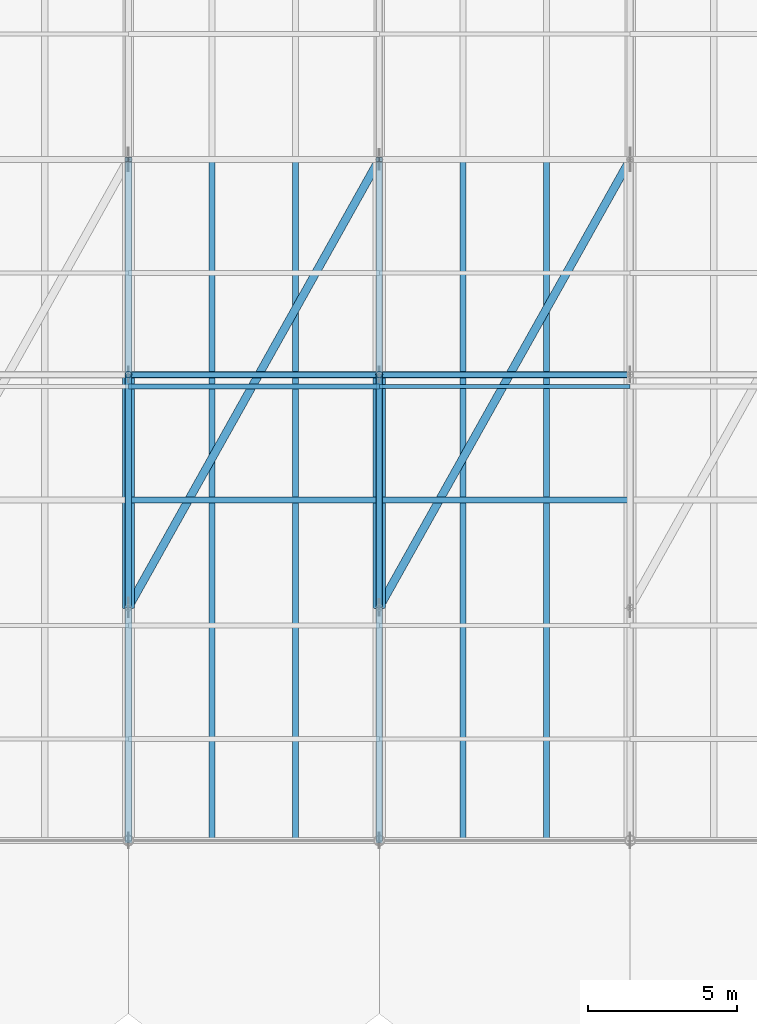
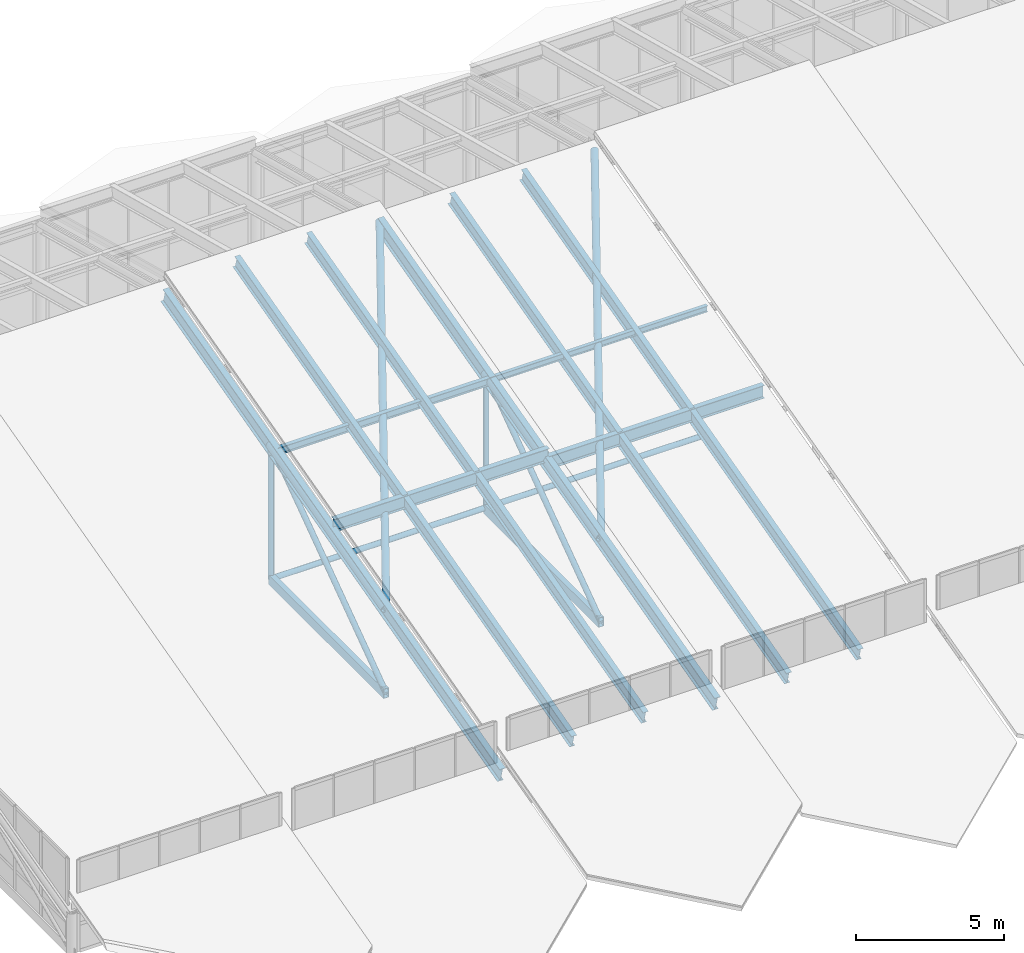
# One storey, part 11 of 43: 14 members, 8 beams.
"""IFC4 building model written with IfcOpenShell, lengths in metres."""

from ifc_helpers import new_model, si_unit, direction, frame, origin, origin_2d, place, context, subcontext, project, spatial, hollow_rectangle, hollow_circle, i_section, extrude, material, material_profile, profile_set, type_object, element, save


model = new_model("IFC4")

# Units and contexts
model_context = context("Model", 3, precision=1e-05, world=origin(), true_north=direction((0.0, 1.0)))
body_context = subcontext(model_context, "Body", "Model", "MODEL_VIEW")
ifc_project = project(units=[si_unit("LENGTHUNIT", "METRE"), si_unit("AREAUNIT", "SQUARE_METRE"), si_unit("VOLUMEUNIT", "CUBIC_METRE"), si_unit("PLANEANGLEUNIT", "RADIAN"), si_unit("MASSUNIT", "GRAM", prefix="KILO")], contexts=[model_context])

# Site, building, storey
site_placement = place(None, origin())
site = spatial("IfcSite", under=ifc_project, at=site_placement, CompositionType="ELEMENT")
building_placement = place(site_placement, origin())
building = spatial("IfcBuilding", under=site, at=building_placement, Name="Selat Folded Stagehouse", CompositionType="ELEMENT")
storey_placement = place(building_placement, frame((0.0, 0.0, 32.39990234375)))
storey = spatial("IfcBuildingStorey", under=building, at=storey_placement, Name="RF", CompositionType="ELEMENT", Elevation=32.39990234375)

# Beams
ifc_material = material(Name="Steel S355", Category="steel")
ifc_material_profile_1 = material_profile(ifc_material, i_section(OverallWidth=0.209228515625, OverallDepth=0.533203125, WebThickness=0.010009765625, FlangeThickness=0.015625, FilletRadius=0.0126953125, at=origin_2d()), Name="UKB 533x210x92")
ifc_profile_set_1 = profile_set([ifc_material_profile_1], Name="Steel S355")
beam_type_1 = type_object("IfcBeamType", Name="BM-GIRD-533x210x92", PredefinedType="BEAM", material=ifc_profile_set_1)
beam_1_placement = place(storey_placement, frame((25.199951171875, 34.800048828125, 4.93212890625), z_axis=(1.0, 0.0, 0.0), x_axis=(0.0, 1.0, 0.0)))
element("IfcBeam", 1, at=beam_1_placement, inside=storey, type_object=beam_type_1, Name="RF bay 3 M roof bearer beam", PredefinedType="BEAM", context=body_context, shape_type="SweptSolid", body=[
    extrude(i_section(OverallWidth=0.209228515625, OverallDepth=0.533203125, WebThickness=0.010009765625, FlangeThickness=0.015625, FilletRadius=0.0126953125, at=origin_2d()), origin(), (0.0, 0.0, 1.0), 8.400146484375),
])
for number, where, z_axis, x_axis, name in (
    (2, (28.0, 23.39990234375, 1.9208984375), (0.0, 0.966839847915, 0.255383453816), (-1.0, 0.0, 0.0), "RF bay 3 W south sub-rafter"),
    (3, (30.800048828125, 23.39990234375, 1.9208984375), (0.0, 0.966839847915, 0.255383453816), (-1.0, 0.0, 0.0), "RF bay 3 E south sub-rafter"),
):
    element("IfcBeam", number, at=place(storey_placement, frame(where, z_axis=z_axis, x_axis=x_axis)), inside=storey, type_object=beam_type_1, Name=name, PredefinedType="BEAM", context=body_context, shape_type="SweptSolid", body=[
        extrude(i_section(OverallWidth=0.209228515625, OverallDepth=0.533203125, WebThickness=0.010009765625, FlangeThickness=0.015625, FilletRadius=0.0126953125, at=origin_2d()), origin(), (0.0, 0.0, 1.0), 23.58203125),
    ])
beam_2_placement = place(storey_placement, frame((33.60009765625, 34.800048828125, 4.59765625), z_axis=(1.0, 0.0, 0.0), x_axis=(0.0, 1.0, 0.0)))
element("IfcBeam", 4, at=beam_2_placement, inside=storey, type_object=beam_type_1, Name="RF bay 4 M roof bearer beam", PredefinedType="BEAM", context=body_context, shape_type="SweptSolid", body=[
    extrude(i_section(OverallWidth=0.209228515625, OverallDepth=0.533203125, WebThickness=0.010009765625, FlangeThickness=0.015625, FilletRadius=0.0126953125, at=origin_2d()), origin(), (0.0, 0.0, 1.0), 8.39990234375),
])
for number, where, z_axis, x_axis, name in (
    (5, (36.39990234375, 23.39990234375, 1.586181640625), (0.0, 0.966837291607, 0.255393131382), (-1.0, 0.0, 0.0), "RF bay 4 W south sub-rafter"),
    (6, (39.199951171875, 23.39990234375, 1.586181640625), (0.0, 0.966837291607, 0.255393131382), (-1.0, 0.0, 0.0), "RF bay 4 E south sub-rafter"),
):
    element("IfcBeam", number, at=place(storey_placement, frame(where, z_axis=z_axis, x_axis=x_axis)), inside=storey, type_object=beam_type_1, Name=name, PredefinedType="BEAM", context=body_context, shape_type="SweptSolid", body=[
        extrude(i_section(OverallWidth=0.209228515625, OverallDepth=0.533203125, WebThickness=0.010009765625, FlangeThickness=0.015625, FilletRadius=0.0126953125, at=origin_2d()), origin(), (0.0, 0.0, 1.0), 23.58203125),
    ])
ifc_material_profile_2 = material_profile(ifc_material, i_section(OverallWidth=0.230224609375, OverallDepth=0.6171875, WebThickness=0.01318359375, FlangeThickness=0.022216796875, FilletRadius=0.0126953125, at=origin_2d()), Name="UKB 610x229x140")
ifc_profile_set_2 = profile_set([ifc_material_profile_2], Name="Steel S355")
beam_type_2 = type_object("IfcBeamType", Name="BM-GIRD-610x229x140", PredefinedType="BEAM", material=ifc_profile_set_2)
for number, where, z_axis, x_axis, name in (
    (7, (25.199951171875, 23.39990234375, 1.506591796875), (0.0, 0.966837291607, 0.255393131382), (-1.0, 0.0, 0.0), "RF primary south rafter beam 3"),
    (8, (33.60009765625, 23.39990234375, 1.506591796875), (0.0, 0.966837291607, 0.255393131382), (-1.0, 0.0, 0.0), "RF primary south rafter beam 4"),
):
    element("IfcBeam", number, at=place(storey_placement, frame(where, z_axis=z_axis, x_axis=x_axis)), inside=storey, type_object=beam_type_2, Name=name, PredefinedType="BEAM", context=body_context, shape_type="SweptSolid", body=[
        extrude(i_section(OverallWidth=0.230224609375, OverallDepth=0.6171875, WebThickness=0.01318359375, FlangeThickness=0.022216796875, FilletRadius=0.0126953125, at=origin_2d()), origin(), (0.0, 0.0, 1.0), 23.58203125),
    ])

# Members
ifc_material_profile_3 = material_profile(ifc_material, hollow_circle(Radius=0.109619140625, WallThickness=0.010009765625, at=origin_2d()), Name="CHS 219.1x10.0")
ifc_profile_set_3 = profile_set([ifc_material_profile_3], Name="Steel S355")
member_type_1 = type_object("IfcMemberType", Name="MEM-BRACE-CHS219", PredefinedType="BRACE", material=ifc_profile_set_3)
for number, where, z_axis, x_axis, name in (
    (9, (25.199951171875, 31.199951171875, 0.150146484375), (0.0, 0.813513193396, 0.581546459168), (-1.0, 0.0, 0.0), "Folded-plate web diagonal 3.2"),
    (10, (33.60009765625, 31.199951171875, 0.150146484375), (0.0, 0.813513193396, 0.581546459168), (-1.0, 0.0, 0.0), "Folded-plate web diagonal 4.2"),
):
    element("IfcMember", number, at=place(storey_placement, frame(where, z_axis=z_axis, x_axis=x_axis)), inside=storey, type_object=member_type_1, Name=name, PredefinedType="BRACE", context=body_context, shape_type="SweptSolid", body=[
        extrude(hollow_circle(Radius=0.109619140625, WallThickness=0.010009765625, at=origin_2d()), origin(), (0.0, 0.0, 1.0), 9.588134765625),
    ])
ifc_material_profile_4 = material_profile(ifc_material, hollow_circle(Radius=0.136474609375, WallThickness=0.012451171875, at=origin_2d()), Name="CHS 273.0x12.5")
ifc_profile_set_4 = profile_set([ifc_material_profile_4], Name="Steel S355")
member_type_2 = type_object("IfcMemberType", Name="MEM-BRACE-CHS273", PredefinedType="BRACE", material=ifc_profile_set_4)
for number, where, z_axis, x_axis, name in (
    (11, (25.199951171875, 31.199951171875, 3.66552734375), (0.476127257622, 0.850212419226, 0.224592245508), (-0.872502383543, 0.488609855315, 0.0), "Roof wind brace bay 3"),
    (12, (33.60009765625, 31.199951171875, 3.66552734375), (0.47611655648, 0.850218020989, 0.224593725271), (-0.872508437544, 0.488599044631, 0.0), "Roof wind brace bay 4"),
):
    element("IfcMember", number, at=place(storey_placement, frame(where, z_axis=z_axis, x_axis=x_axis)), inside=storey, type_object=member_type_2, Name=name, PredefinedType="BRACE", context=body_context, shape_type="SweptSolid", body=[
        extrude(hollow_circle(Radius=0.136474609375, WallThickness=0.012451171875, at=origin_2d()), origin(), (0.0, 0.0, 1.0), 17.642578125),
    ])
ifc_material_profile_5 = material_profile(ifc_material, hollow_circle(Radius=0.203125, WallThickness=0.01611328125, at=origin_2d()), Name="CHS 406.4x16.0")
ifc_profile_set_5 = profile_set([ifc_material_profile_5], Name="Steel S355")
member_type_3 = type_object("IfcMemberType", Name="MEM-CHORD-CHS406", PredefinedType="CHORD", material=ifc_profile_set_5)
for number, where, z_axis, x_axis, name in (
    (13, (25.199951171875, 31.199951171875, 3.66552734375), (0.0, 0.966833028455, 0.255409269779), (-1.0, 0.0, 0.0), "Folded-plate top chord 3.2"),
    (14, (33.60009765625, 31.199951171875, 3.66552734375), (0.0, 0.966833028455, 0.255409269779), (-1.0, 0.0, 0.0), "Folded-plate top chord 4.2"),
):
    element("IfcMember", number, at=place(storey_placement, frame(where, z_axis=z_axis, x_axis=x_axis)), inside=storey, type_object=member_type_3, Name=name, PredefinedType="CHORD", context=body_context, shape_type="SweptSolid", body=[
        extrude(hollow_circle(Radius=0.203125, WallThickness=0.01611328125, at=origin_2d()), origin(), (0.0, 0.0, 1.0), 8.067626953125),
    ])
ifc_material_profile_6 = material_profile(ifc_material, hollow_rectangle(XDim=0.199951171875, YDim=0.39990234375, WallThickness=0.012451171875, at=origin_2d()), Name="RHS 400x200x12.5")
ifc_profile_set_6 = profile_set([ifc_material_profile_6], Name="Steel S355")
member_type_4 = type_object("IfcMemberType", Name="MEM-CHORD-RHS400", PredefinedType="CHORD", material=ifc_profile_set_6)
for number, where, z_axis, x_axis, name in (
    (15, (25.199951171875, 31.199951171875, 0.150146484375), (0.0, 1.0, 0.0), (-1.0, 0.0, 0.0), "Folded-plate bottom tie 3.2"),
    (16, (33.60009765625, 31.199951171875, 0.150146484375), (0.0, 1.0, 0.0), (-1.0, 0.0, 0.0), "Folded-plate bottom tie 4.2"),
):
    element("IfcMember", number, at=place(storey_placement, frame(where, z_axis=z_axis, x_axis=x_axis)), inside=storey, type_object=member_type_4, Name=name, PredefinedType="CHORD", context=body_context, shape_type="SweptSolid", body=[
        extrude(hollow_rectangle(XDim=0.199951171875, YDim=0.39990234375, WallThickness=0.012451171875, at=origin_2d()), origin(), (0.0, 0.0, 1.0), 7.800048828125),
    ])
ifc_material_profile_7 = material_profile(ifc_material, hollow_circle(Radius=0.109619140625, WallThickness=0.010009765625, at=origin_2d()), Name="CHS 219.1x10.0")
ifc_profile_set_7 = profile_set([ifc_material_profile_7], Name="Steel S355")
member_type_5 = type_object("IfcMemberType", Name="MEM-POST-CHS219", PredefinedType="POST", material=ifc_profile_set_7)
for number, where, z_axis, x_axis, name in (
    (17, (25.199951171875, 39.0, 0.150146484375), (0.0, 0.0, 1.0), (1.0, 0.0, 0.0), "Folded-plate truss post 3.2"),
    (18, (33.60009765625, 39.0, 0.150146484375), (0.0, 0.0, 1.0), (1.0, 0.0, 0.0), "Folded-plate truss post 4.2"),
):
    element("IfcMember", number, at=place(storey_placement, frame(where, z_axis=z_axis, x_axis=x_axis)), inside=storey, type_object=member_type_5, Name=name, PredefinedType="POST", context=body_context, shape_type="SweptSolid", body=[
        extrude(hollow_circle(Radius=0.109619140625, WallThickness=0.010009765625, at=origin_2d()), origin(), (0.0, 0.0, 1.0), 5.575927734375),
    ])
ifc_material_profile_8 = material_profile(ifc_material, i_section(OverallWidth=0.14599609375, OverallDepth=0.25146484375, WebThickness=0.006103515625, FlangeThickness=0.008544921875, FilletRadius=0.007568359375, at=origin_2d()), Name="UKB 254x146x31")
ifc_profile_set_8 = profile_set([ifc_material_profile_8], Name="Steel S355")
member_type_6 = type_object("IfcMemberType", Name="MEM-PURLIN-UKB254", PredefinedType="PURLIN", material=ifc_profile_set_8)
member_1_placement = place(storey_placement, frame((33.60009765625, 38.60009765625, 5.70068359375), z_axis=(1.0, 0.0, 0.0), x_axis=(0.0, 1.0, 0.0)))
element("IfcMember", 19, at=member_1_placement, inside=storey, type_object=member_type_6, Name="Folded-plate roof purlin bay 4.3", PredefinedType="PURLIN", context=body_context, shape_type="SweptSolid", body=[
    extrude(i_section(OverallWidth=0.14599609375, OverallDepth=0.25146484375, WebThickness=0.006103515625, FlangeThickness=0.008544921875, FilletRadius=0.007568359375, at=origin_2d()), origin(), (0.0, 0.0, 1.0), 8.39990234375),
])
ifc_material_profile_9 = material_profile(ifc_material, i_section(OverallWidth=0.1650390625, OverallDepth=0.303466796875, WebThickness=0.006103515625, FlangeThickness=0.01025390625, FilletRadius=0.0087890625, at=origin_2d()), Name="UKB 305x165x40")
ifc_profile_set_9 = profile_set([ifc_material_profile_9], Name="Steel S355")
member_type_7 = type_object("IfcMemberType", Name="MEM-PURLIN-UKB305", PredefinedType="PURLIN", material=ifc_profile_set_9)
member_2_placement = place(storey_placement, frame((25.199951171875, 38.60009765625, 5.673583984375), z_axis=(1.0, 0.0, 0.0), x_axis=(0.0, 1.0, 0.0)))
element("IfcMember", 20, at=member_2_placement, inside=storey, type_object=member_type_7, Name="Folded-plate roof purlin bay 3.3", PredefinedType="PURLIN", context=body_context, shape_type="SweptSolid", body=[
    extrude(i_section(OverallWidth=0.1650390625, OverallDepth=0.303466796875, WebThickness=0.006103515625, FlangeThickness=0.01025390625, FilletRadius=0.0087890625, at=origin_2d()), origin(), (0.0, 0.0, 1.0), 8.400146484375),
])
ifc_material_profile_10 = material_profile(ifc_material, hollow_circle(Radius=0.109619140625, WallThickness=0.010009765625, at=origin_2d()), Name="CHS 219.1x10.0")
ifc_profile_set_10 = profile_set([ifc_material_profile_10], Name="Steel S355")
member_type_8 = type_object("IfcMemberType", Name="MEM-STRUT-CHS219", PredefinedType="STRUT", material=ifc_profile_set_10)
member_3_placement = place(storey_placement, frame((25.199951171875, 39.0, 0.150146484375), z_axis=(1.0, 0.0, 0.0), x_axis=(0.0, 1.0, 0.0)))
element("IfcMember", 21, at=member_3_placement, inside=storey, type_object=member_type_8, Name="Roof bottom-tie strut bay 3", PredefinedType="STRUT", context=body_context, shape_type="SweptSolid", body=[
    extrude(hollow_circle(Radius=0.109619140625, WallThickness=0.010009765625, at=origin_2d()), origin(), (0.0, 0.0, 1.0), 8.400146484375),
])
member_4_placement = place(storey_placement, frame((33.60009765625, 39.0, 0.150146484375), z_axis=(1.0, 0.0, 0.0), x_axis=(0.0, 1.0, 0.0)))
element("IfcMember", 22, at=member_4_placement, inside=storey, type_object=member_type_8, Name="Roof bottom-tie strut bay 4", PredefinedType="STRUT", context=body_context, shape_type="SweptSolid", body=[
    extrude(hollow_circle(Radius=0.109619140625, WallThickness=0.010009765625, at=origin_2d()), origin(), (0.0, 0.0, 1.0), 8.39990234375),
])

save(model, "model.ifc")
